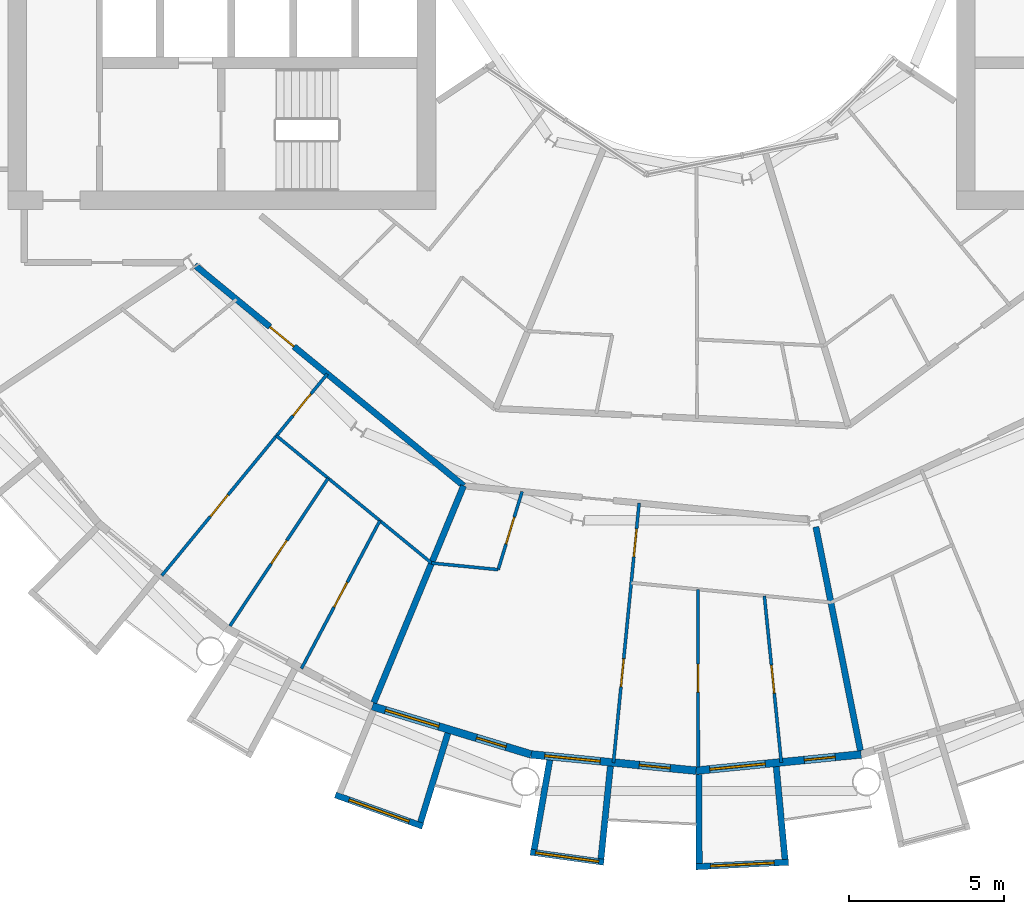
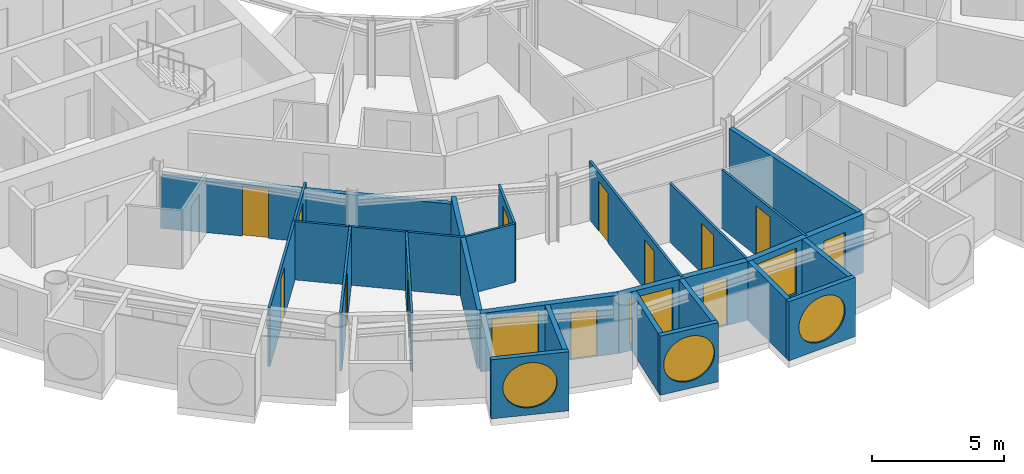
# One storey, part 14 of 27: 23 walls, 13 doors, 6 windows, 19 openings.
"""IFC4 building model written with IfcOpenShell, lengths in metres."""

from ifc_helpers import new_model, si_unit, direction, frame, frame_2d, origin, place, context, subcontext, project, spatial, rectangle, circle, extrude, material, layer, layer_set, type_object, element, fill, save


model = new_model("IFC4")

# Units and contexts
model_context = context("Model", 3, precision=1e-05, world=origin(), true_north=direction((0.0, 1.0)))
body_context = subcontext(model_context, "Body", "Model", "MODEL_VIEW")
ifc_project = project(units=[si_unit("LENGTHUNIT", "METRE"), si_unit("AREAUNIT", "SQUARE_METRE"), si_unit("VOLUMEUNIT", "CUBIC_METRE"), si_unit("PLANEANGLEUNIT", "RADIAN"), si_unit("MASSUNIT", "GRAM", prefix="KILO")], contexts=[model_context])

# Site, building, storey
site_placement = place(None, origin())
site = spatial("IfcSite", under=ifc_project, at=site_placement, CompositionType="ELEMENT")
building_placement = place(site_placement, origin())
building = spatial("IfcBuilding", under=site, at=building_placement, Name="Maasbend Ring Residences", CompositionType="ELEMENT")
storey_placement = place(building_placement, frame((0.0, 0.0, 111.64990234375)))
storey = spatial("IfcBuildingStorey", under=building, at=storey_placement, Name="L31", CompositionType="ELEMENT", Elevation=111.64990234375)

# Wall, opening, door
ifc_material_1 = material(Name="Concrete C30/37", Category="concrete")
ifc_layer_1 = layer(ifc_material_1, 0.199951171875)
ifc_layer_set_1 = layer_set([ifc_layer_1], Name="Concrete C30/37")
wall_type_1 = type_object("IfcWallType", Name="CORRIDOR WALL 200 CONCRETE", PredefinedType="PARTITIONING", material=ifc_layer_set_1)
wall_1_placement = place(storey_placement, frame((-16.173095703125, -10.990966796875, 0.0), z_axis=(0.0, 0.0, 1.0), x_axis=(0.773013989296, -0.634388975591, 0.0)))
wall_1 = element("IfcWall", 1, at=wall_1_placement, inside=storey, type_object=wall_type_1, Name="U-L31-w013", PredefinedType="PARTITIONING", context=body_context, shape_type="SweptSolid", body=[
    extrude(rectangle(XDim=11.218505859375, YDim=0.199951171875, at=frame_2d((5.609375, 0.0))), origin(), (0.0, 0.0, 1.0), 2.39013671875),
])
opening_1_placement = place(wall_1_placement, frame((3.135009765625, 0.0, 0.0)))
opening_1 = element("IfcOpeningElement", 2, at=opening_1_placement, cuts=wall_1, Name="Opening D-3134", PredefinedType="OPENING", context=body_context, shape_type="SweptSolid", body=[
    extrude(rectangle(XDim=1.0, YDim=2.300048828125, at=frame_2d((0.5, 1.14990234375))), frame((0.0, 0.10986328125, 0.0), z_axis=(0.0, -1.0, 0.0), x_axis=(1.0, 0.0, 0.0)), (0.0, 0.0, 1.0), 0.219970703125),
])
ifc_material_2 = material(Name="Timber, fire-rated, painted", Category="wood")
door_type_1 = type_object("IfcDoorType", Name="FLAT ENTRANCE DOOR 1000 X 2300 FIRE-RATED", OperationType="NOTDEFINED", PredefinedType="DOOR", material=ifc_material_2)
door_1_placement = place(opening_1_placement, origin())
door_1 = element("IfcDoor", 3, at=door_1_placement, inside=storey, type_object=door_type_1, Name="D-3134", OperationType="SINGLE_SWING_LEFT", OverallHeight=2.300048828125, OverallWidth=1.0, PredefinedType="DOOR", context=body_context, shape_type="SweptSolid", body=[
    extrude(rectangle(XDim=1.0, YDim=2.300048828125, at=frame_2d((0.5, 1.14990234375))), frame((0.0, 0.02490234375, 0.0), z_axis=(0.0, -1.0, 0.0), x_axis=(1.0, 0.0, 0.0)), (0.0, 0.0, 1.0), 0.050048828125),
])
fill(opening_1, door_1)

# Wall, opening, window
ifc_material_3 = material(Name="Pale anodised aluminium panel", Category="aluminium")
ifc_layer_2 = layer(ifc_material_3, 0.199951171875)
ifc_layer_set_2 = layer_set([ifc_layer_2], Name="EW-BOX")
wall_type_2 = type_object("IfcWallType", Name="EW-BOX", PredefinedType="SOLIDWALL", material=ifc_layer_set_2)
wall_2_placement = place(storey_placement, frame((-11.637939453125, -28.083984375, -0.02978515625), z_axis=(0.0, 0.0, 1.0), x_axis=(0.941461077774, -0.337121697664, 0.0)))
wall_2 = element("IfcWall", 4, at=wall_2_placement, inside=storey, type_object=wall_type_2, Name="Box front S07", PredefinedType="SOLIDWALL", context=body_context, shape_type="SweptSolid", body=[
    extrude(rectangle(XDim=2.9931640625, YDim=0.199951171875, at=frame_2d((1.49658203125, 0.0))), origin(), (0.0, 0.0, 1.0), 2.72998046875),
])
opening_2_placement = place(wall_2_placement, frame((0.45654296875, 0.0, 0.330078125)))
opening_2 = element("IfcOpeningElement", 5, at=opening_2_placement, cuts=wall_2, Name="Opening W-RD", PredefinedType="OPENING", context=body_context, shape_type="SweptSolid", body=[
    extrude(circle(Radius=1.0400390625, at=frame_2d((1.0400390625, 1.0400390625))), frame((0.0, 0.10986328125, 0.0), z_axis=(0.0, -1.0, 0.0), x_axis=(1.0, 0.0, 0.0)), (0.0, 0.0, 1.0), 0.219970703125),
])
ifc_material_4 = material(Name="Aluminium and clear glass", Category="aluminium")
window_type_1 = type_object("IfcWindowType", Name="W-RD", PartitioningType="SINGLE_PANEL", PredefinedType="WINDOW", material=ifc_material_4)
window_1_placement = place(opening_2_placement, origin())
window_1 = element("IfcWindow", 6, at=window_1_placement, inside=storey, type_object=window_type_1, Name="Round window S07", OverallHeight=2.080078125, OverallWidth=2.080078125, PartitioningType="SINGLE_PANEL", PredefinedType="WINDOW", context=body_context, shape_type="SweptSolid", body=[
    extrude(circle(Radius=1.0400390625, at=frame_2d((1.0400390625, 1.0400390625))), frame((0.0, 0.030029296875, 0.0), z_axis=(0.0, -1.0, 0.0), x_axis=(1.0, 0.0, 0.0)), (0.0, 0.0, 1.0), 0.06005859375),
])
fill(opening_2, window_1)

# Wall
wall_3_placement = place(storey_placement, frame((-8.009033203125, -26.092041015625, -0.02978515625), z_axis=(0.0, 0.0, 1.0), x_axis=(-0.293406695073, -0.955987715029, 0.0)))
element("IfcWall", 7, at=wall_3_placement, inside=storey, type_object=wall_type_2, Name="Box side wall S07 right", PredefinedType="SOLIDWALL", context=body_context, shape_type="SweptSolid", body=[
    extrude(rectangle(XDim=3.00634765625, YDim=0.199951171875, at=frame_2d((1.503173828125, 0.0))), origin(), (0.0, 0.0, 1.0), 2.72998046875),
])

# Wall, opening, window
wall_4_placement = place(storey_placement, frame((-5.344970703125, -29.927001953125, -0.02978515625), z_axis=(0.0, 0.0, 1.0), x_axis=(0.99061207328, -0.136703036805, 0.0)))
wall_4 = element("IfcWall", 8, at=wall_4_placement, inside=storey, type_object=wall_type_2, Name="Box front S09", PredefinedType="SOLIDWALL", context=body_context, shape_type="SweptSolid", body=[
    extrude(rectangle(XDim=2.391357421875, YDim=0.199951171875, at=frame_2d((1.19580078125, 0.0))), origin(), (0.0, 0.0, 1.0), 2.72998046875),
])
opening_3_placement = place(wall_4_placement, frame((0.15576171875, 0.0, 0.330078125)))
opening_3 = element("IfcOpeningElement", 9, at=opening_3_placement, cuts=wall_4, Name="Opening W-RD", PredefinedType="OPENING", context=body_context, shape_type="SweptSolid", body=[
    extrude(circle(Radius=1.0400390625, at=frame_2d((1.0400390625, 1.0400390625))), frame((0.0, 0.10986328125, 0.0), z_axis=(0.0, -1.0, 0.0), x_axis=(1.0, 0.0, 0.0)), (0.0, 0.0, 1.0), 0.219970703125),
])
window_2_placement = place(opening_3_placement, origin())
window_2 = element("IfcWindow", 10, at=window_2_placement, inside=storey, type_object=window_type_1, Name="Round window S09", OverallHeight=2.080078125, OverallWidth=2.080078125, PartitioningType="SINGLE_PANEL", PredefinedType="WINDOW", context=body_context, shape_type="SweptSolid", body=[
    extrude(circle(Radius=1.0400390625, at=frame_2d((1.0400390625, 1.0400390625))), frame((0.0, 0.030029296875, 0.0), z_axis=(0.0, -1.0, 0.0), x_axis=(1.0, 0.0, 0.0)), (0.0, 0.0, 1.0), 0.06005859375),
])
fill(opening_3, window_2)

# Walls
wall_5_placement = place(storey_placement, frame((-4.719970703125, -26.9609375, -0.02978515625), z_axis=(0.0, 0.0, 1.0), x_axis=(-0.172463232037, -0.98501595601, 0.0)))
element("IfcWall", 11, at=wall_5_placement, inside=storey, type_object=wall_type_2, Name="Box side wall S09 left", PredefinedType="SOLIDWALL", context=body_context, shape_type="SweptSolid", body=[
    extrude(rectangle(XDim=2.928955078125, YDim=0.199951171875, at=frame_2d((1.46435546875, 0.0))), origin(), (0.0, 0.0, 1.0), 2.72998046875),
])
wall_6_placement = place(storey_placement, frame((-2.763916015625, -27.153076171875, -0.02978515625), z_axis=(0.0, 0.0, 1.0), x_axis=(-0.101505487237, -0.994834979311, 0.0)))
element("IfcWall", 12, at=wall_6_placement, inside=storey, type_object=wall_type_2, Name="Box side wall S09 right", PredefinedType="SOLIDWALL", context=body_context, shape_type="SweptSolid", body=[
    extrude(rectangle(XDim=3.006591796875, YDim=0.199951171875, at=frame_2d((1.50341796875, 0.0))), origin(), (0.0, 0.0, 1.0), 2.72998046875),
])

# Wall, opening, window
wall_7_placement = place(storey_placement, frame((-0.0048828125, -30.39990234375, -0.02978515625), z_axis=(0.0, 0.0, 1.0), x_axis=(0.998794083011, 0.049095618353, 0.0)))
wall_7 = element("IfcWall", 13, at=wall_7_placement, inside=storey, type_object=wall_type_2, Name="Box front S11", PredefinedType="SOLIDWALL", context=body_context, shape_type="SweptSolid", body=[
    extrude(rectangle(XDim=2.99365234375, YDim=0.199951171875, at=frame_2d((1.496826171875, 0.0))), origin(), (0.0, 0.0, 1.0), 2.72998046875),
])
opening_4_placement = place(wall_7_placement, frame((0.45654296875, 0.0, 0.330078125)))
opening_4 = element("IfcOpeningElement", 14, at=opening_4_placement, cuts=wall_7, Name="Opening W-RD", PredefinedType="OPENING", context=body_context, shape_type="SweptSolid", body=[
    extrude(circle(Radius=1.0400390625, at=frame_2d((1.0400390625, 1.0400390625))), frame((0.0, 0.10986328125, 0.0), z_axis=(0.0, -1.0, 0.0), x_axis=(1.0, 0.0, 0.0)), (0.0, 0.0, 1.0), 0.219970703125),
])
window_3_placement = place(opening_4_placement, origin())
window_3 = element("IfcWindow", 15, at=window_3_placement, inside=storey, type_object=window_type_1, Name="Round window S11", OverallHeight=2.080078125, OverallWidth=2.080078125, PartitioningType="SINGLE_PANEL", PredefinedType="WINDOW", context=body_context, shape_type="SweptSolid", body=[
    extrude(circle(Radius=1.0400390625, at=frame_2d((1.0400390625, 1.0400390625))), frame((0.0, 0.030029296875, 0.0), z_axis=(0.0, -1.0, 0.0), x_axis=(1.0, 0.0, 0.0)), (0.0, 0.0, 1.0), 0.06005859375),
])
fill(opening_4, window_3)

# Walls
wall_8_placement = place(storey_placement, frame((0.090087890625, -27.4169921875, -0.02978515625), z_axis=(0.0, 0.0, 1.0), x_axis=(0.00347308367, -0.999993968827, 0.0)))
element("IfcWall", 16, at=wall_8_placement, inside=storey, type_object=wall_type_2, Name="Box side wall S11 left", PredefinedType="SOLIDWALL", context=body_context, shape_type="SweptSolid", body=[
    extrude(rectangle(XDim=2.882080078125, YDim=0.199951171875, at=frame_2d((1.44091796875, 0.0))), origin(), (0.0, 0.0, 1.0), 2.72998046875),
])
wall_9_placement = place(storey_placement, frame((2.5859375, -27.1708984375, -0.02978515625), z_axis=(0.0, 0.0, 1.0), x_axis=(0.094548432284, -0.995520262954, 0.0)))
element("IfcWall", 17, at=wall_9_placement, inside=storey, type_object=wall_type_2, Name="Box side wall S11 right", PredefinedType="SOLIDWALL", context=body_context, shape_type="SweptSolid", body=[
    extrude(rectangle(XDim=3.005615234375, YDim=0.199951171875, at=frame_2d((1.5029296875, 0.0))), origin(), (0.0, 0.0, 1.0), 2.72998046875),
])

# Wall, openings, door, window
ifc_material_5 = material(Name="Aluminium clad insulated panel", Category="aluminium")
ifc_layer_3 = layer(ifc_material_5, 0.25)
ifc_layer_set_3 = layer_set([ifc_layer_3], Name="EW-GL")
wall_type_3 = type_object("IfcWallType", Name="EW-GL", PredefinedType="SOLIDWALL", material=ifc_layer_set_3)
wall_10_placement = place(storey_placement, frame((-10.447021484375, -25.221923828125, 0.0), z_axis=(0.0, 0.0, 1.0), x_axis=(0.956965678721, -0.290201119486, 0.0)))
wall_10 = element("IfcWall", 18, at=wall_10_placement, inside=storey, type_object=wall_type_3, Name="External wall S04", PredefinedType="SOLIDWALL", context=body_context, shape_type="SweptSolid", body=[
    extrude(rectangle(XDim=5.351318359375, YDim=0.25, at=frame_2d((2.67578125, 0.0))), origin(), (0.0, 0.0, 1.0), 2.7001953125),
])
opening_5_placement = place(wall_10_placement, frame((0.441162109375, 0.0, 0.300048828125)))
opening_5 = element("IfcOpeningElement", 19, at=opening_5_placement, cuts=wall_10, Name="Opening W-BX", PredefinedType="OPENING", context=body_context, shape_type="SweptSolid", body=[
    extrude(rectangle(XDim=1.800048828125, YDim=2.10009765625, at=frame_2d((0.89990234375, 1.050048828125))), frame((0.0, 0.135009765625, 0.0), z_axis=(0.0, -1.0, 0.0), x_axis=(1.0, 0.0, 0.0)), (0.0, 0.0, 1.0), 0.27001953125),
])
opening_6_placement = place(wall_10_placement, frame((3.510498046875, 0.0, 0.0)))
opening_6 = element("IfcOpeningElement", 20, at=opening_6_placement, cuts=wall_10, Name="Opening D-LG", PredefinedType="OPENING", context=body_context, shape_type="SweptSolid", body=[
    extrude(rectangle(XDim=1.0, YDim=2.199951171875, at=frame_2d((0.5, 1.10009765625))), frame((0.0, 0.135009765625, 0.0), z_axis=(0.0, -1.0, 0.0), x_axis=(1.0, 0.0, 0.0)), (0.0, 0.0, 1.0), 0.27001953125),
])
ifc_material_6 = material(Name="Aluminium and clear glass", Category="aluminium")
door_type_2 = type_object("IfcDoorType", Name="D-LG", OperationType="SINGLE_SWING_LEFT", PredefinedType="DOOR", material=ifc_material_6)
door_2_placement = place(opening_6_placement, origin())
door_2 = element("IfcDoor", 21, at=door_2_placement, inside=storey, type_object=door_type_2, Name="Loggia door S08", OperationType="SINGLE_SWING_LEFT", OverallHeight=2.199951171875, OverallWidth=1.0, PredefinedType="DOOR", context=body_context, shape_type="SweptSolid", body=[
    extrude(rectangle(XDim=1.0, YDim=2.199951171875, at=frame_2d((0.5, 1.10009765625))), frame((0.0, 0.02490234375, 0.0), z_axis=(0.0, -1.0, 0.0), x_axis=(1.0, 0.0, 0.0)), (0.0, 0.0, 1.0), 0.050048828125),
])
fill(opening_6, door_2)
ifc_material_7 = material(Name="Aluminium and clear glass", Category="aluminium")
window_type_2 = type_object("IfcWindowType", Name="W-BX", PartitioningType="DOUBLE_PANEL_VERTICAL", PredefinedType="WINDOW", material=ifc_material_7)
window_4_placement = place(opening_5_placement, origin())
window_4 = element("IfcWindow", 22, at=window_4_placement, inside=storey, type_object=window_type_2, Name="Window S07 room to box", OverallHeight=2.10009765625, OverallWidth=1.800048828125, PartitioningType="SINGLE_PANEL", PredefinedType="WINDOW", context=body_context, shape_type="SweptSolid", body=[
    extrude(rectangle(XDim=1.800048828125, YDim=2.10009765625, at=frame_2d((0.89990234375, 1.050048828125))), frame((0.0, 0.030029296875, 0.0), z_axis=(0.0, -1.0, 0.0), x_axis=(1.0, 0.0, 0.0)), (0.0, 0.0, 1.0), 0.06005859375),
])
fill(opening_5, window_4)

wall_11_placement = place(storey_placement, frame((-5.325927734375, -26.77490234375, 0.0), z_axis=(0.0, 0.0, 1.0), x_axis=(0.995173996315, -0.098126026407, 0.0)))
wall_11 = element("IfcWall", 23, at=wall_11_placement, inside=storey, type_object=wall_type_3, Name="External wall S05", PredefinedType="SOLIDWALL", context=body_context, shape_type="SweptSolid", body=[
    extrude(rectangle(XDim=5.351806640625, YDim=0.25, at=frame_2d((2.67578125, 0.0))), origin(), (0.0, 0.0, 1.0), 2.7001953125),
])
opening_7_placement = place(wall_11_placement, frame((0.441162109375, 0.0, 0.300048828125)))
opening_7 = element("IfcOpeningElement", 24, at=opening_7_placement, cuts=wall_11, Name="Opening W-BX", PredefinedType="OPENING", context=body_context, shape_type="SweptSolid", body=[
    extrude(rectangle(XDim=1.800048828125, YDim=2.10009765625, at=frame_2d((0.89990234375, 1.050048828125))), frame((0.0, 0.135009765625, 0.0), z_axis=(0.0, -1.0, 0.0), x_axis=(1.0, 0.0, 0.0)), (0.0, 0.0, 1.0), 0.27001953125),
])
opening_8_placement = place(wall_11_placement, frame((3.510498046875, 0.0, 0.0)))
opening_8 = element("IfcOpeningElement", 25, at=opening_8_placement, cuts=wall_11, Name="Opening D-LG", PredefinedType="OPENING", context=body_context, shape_type="SweptSolid", body=[
    extrude(rectangle(XDim=1.0, YDim=2.199951171875, at=frame_2d((0.5, 1.10009765625))), frame((0.0, 0.135009765625, 0.0), z_axis=(0.0, -1.0, 0.0), x_axis=(1.0, 0.0, 0.0)), (0.0, 0.0, 1.0), 0.27001953125),
])
door_3_placement = place(opening_8_placement, origin())
door_3 = element("IfcDoor", 26, at=door_3_placement, inside=storey, type_object=door_type_2, Name="Loggia door S10", OperationType="SINGLE_SWING_LEFT", OverallHeight=2.199951171875, OverallWidth=1.0, PredefinedType="DOOR", context=body_context, shape_type="SweptSolid", body=[
    extrude(rectangle(XDim=1.0, YDim=2.199951171875, at=frame_2d((0.5, 1.10009765625))), frame((0.0, 0.02490234375, 0.0), z_axis=(0.0, -1.0, 0.0), x_axis=(1.0, 0.0, 0.0)), (0.0, 0.0, 1.0), 0.050048828125),
])
fill(opening_8, door_3)
window_5_placement = place(opening_7_placement, origin())
window_5 = element("IfcWindow", 27, at=window_5_placement, inside=storey, type_object=window_type_2, Name="Window S09 room to box", OverallHeight=2.10009765625, OverallWidth=1.800048828125, PartitioningType="SINGLE_PANEL", PredefinedType="WINDOW", context=body_context, shape_type="SweptSolid", body=[
    extrude(rectangle(XDim=1.800048828125, YDim=2.10009765625, at=frame_2d((0.89990234375, 1.050048828125))), frame((0.0, 0.030029296875, 0.0), z_axis=(0.0, -1.0, 0.0), x_axis=(1.0, 0.0, 0.0)), (0.0, 0.0, 1.0), 0.06005859375),
])
fill(opening_7, window_5)

wall_12_placement = place(storey_placement, frame((0.0, -27.300048828125, 0.0), z_axis=(0.0, 0.0, 1.0), x_axis=(0.995173996315, 0.098126026407, 0.0)))
wall_12 = element("IfcWall", 28, at=wall_12_placement, inside=storey, type_object=wall_type_3, Name="External wall S06", PredefinedType="SOLIDWALL", context=body_context, shape_type="SweptSolid", body=[
    extrude(rectangle(XDim=5.351806640625, YDim=0.25, at=frame_2d((2.67578125, 0.0))), origin(), (0.0, 0.0, 1.0), 2.7001953125),
])
opening_9_placement = place(wall_12_placement, frame((0.441162109375, 0.0, 0.300048828125)))
opening_9 = element("IfcOpeningElement", 29, at=opening_9_placement, cuts=wall_12, Name="Opening W-BX", PredefinedType="OPENING", context=body_context, shape_type="SweptSolid", body=[
    extrude(rectangle(XDim=1.800048828125, YDim=2.10009765625, at=frame_2d((0.89990234375, 1.050048828125))), frame((0.0, 0.135009765625, 0.0), z_axis=(0.0, -1.0, 0.0), x_axis=(1.0, 0.0, 0.0)), (0.0, 0.0, 1.0), 0.27001953125),
])
opening_10_placement = place(wall_12_placement, frame((3.510498046875, 0.0, 0.0)))
opening_10 = element("IfcOpeningElement", 30, at=opening_10_placement, cuts=wall_12, Name="Opening D-LG", PredefinedType="OPENING", context=body_context, shape_type="SweptSolid", body=[
    extrude(rectangle(XDim=1.0, YDim=2.199951171875, at=frame_2d((0.5, 1.10009765625))), frame((0.0, 0.135009765625, 0.0), z_axis=(0.0, -1.0, 0.0), x_axis=(1.0, 0.0, 0.0)), (0.0, 0.0, 1.0), 0.27001953125),
])
door_4_placement = place(opening_10_placement, origin())
door_4 = element("IfcDoor", 31, at=door_4_placement, inside=storey, type_object=door_type_2, Name="Loggia door S12", OperationType="SINGLE_SWING_LEFT", OverallHeight=2.199951171875, OverallWidth=1.0, PredefinedType="DOOR", context=body_context, shape_type="SweptSolid", body=[
    extrude(rectangle(XDim=1.0, YDim=2.199951171875, at=frame_2d((0.5, 1.10009765625))), frame((0.0, 0.02490234375, 0.0), z_axis=(0.0, -1.0, 0.0), x_axis=(1.0, 0.0, 0.0)), (0.0, 0.0, 1.0), 0.050048828125),
])
fill(opening_10, door_4)
window_6_placement = place(opening_9_placement, origin())
window_6 = element("IfcWindow", 32, at=window_6_placement, inside=storey, type_object=window_type_2, Name="Window S11 room to box", OverallHeight=2.10009765625, OverallWidth=1.800048828125, PartitioningType="SINGLE_PANEL", PredefinedType="WINDOW", context=body_context, shape_type="SweptSolid", body=[
    extrude(rectangle(XDim=1.800048828125, YDim=2.10009765625, at=frame_2d((0.89990234375, 1.050048828125))), frame((0.0, 0.030029296875, 0.0), z_axis=(0.0, -1.0, 0.0), x_axis=(1.0, 0.0, 0.0)), (0.0, 0.0, 1.0), 0.06005859375),
])
fill(opening_9, window_6)

# Walls
ifc_material_8 = material(Name="Gypsum board on steel studs", Category="steel")
ifc_layer_4 = layer(ifc_material_8, 0.10009765625)
ifc_layer_set_4 = layer_set([ifc_layer_4], Name="PARTITION 100 GYPSUM")
wall_type_4 = type_object("IfcWallType", Name="PARTITION 100 GYPSUM", PredefinedType="PARTITIONING", material=ifc_layer_set_4)
wall_13_placement = place(storey_placement, frame((-13.5380859375, -16.49609375, 0.0), z_axis=(0.0, 0.0, 1.0), x_axis=(0.773000340237, -0.634405606843, 0.0)))
element("IfcWall", 33, at=wall_13_placement, inside=storey, type_object=wall_type_4, Name="U-L31-w008", PredefinedType="PARTITIONING", context=body_context, shape_type="SweptSolid", body=[
    extrude(rectangle(XDim=6.4736328125, YDim=0.10009765625, at=frame_2d((3.23681640625, 0.0))), origin(), (0.0, 0.0, 1.0), 2.7001953125),
])
wall_14_placement = place(storey_placement, frame((-8.541015625, -20.60107421875, 0.0), z_axis=(0.0, 0.0, 1.0), x_axis=(0.995168464509, -0.098182112661, 0.0)))
element("IfcWall", 34, at=wall_14_placement, inside=storey, type_object=wall_type_4, Name="U-L31-w009", PredefinedType="PARTITIONING", context=body_context, shape_type="SweptSolid", body=[
    extrude(rectangle(XDim=2.158447265625, YDim=0.10009765625, at=frame_2d((1.0791015625, 0.0))), origin(), (0.0, 0.0, 1.0), 2.7001953125),
])

# Wall, openings, doors
wall_15_placement = place(storey_placement, frame((-2.666015625, -27.0439453125, 0.0), z_axis=(0.0, 0.0, 1.0), x_axis=(0.098366640075, 0.995150241984, 0.0)))
wall_15 = element("IfcWall", 35, at=wall_15_placement, inside=storey, type_object=wall_type_4, Name="U-L31-w028", PredefinedType="PARTITIONING", context=body_context, shape_type="SweptSolid", body=[
    extrude(rectangle(XDim=8.418701171875, YDim=0.10009765625, at=frame_2d((4.20947265625, 0.0))), origin(), (0.0, 0.0, 1.0), 2.7001953125),
])
opening_11_placement = place(wall_15_placement, frame((6.677001953125, 0.0, 0.0)))
opening_11 = element("IfcOpeningElement", 36, at=opening_11_placement, cuts=wall_15, Name="Opening D-3142", PredefinedType="OPENING", context=body_context, shape_type="SweptSolid", body=[
    extrude(rectangle(XDim=0.89990234375, YDim=2.300048828125, at=frame_2d((0.449951171875, 1.14990234375))), frame((0.0, 0.06005859375, 0.0), z_axis=(0.0, -1.0, 0.0), x_axis=(1.0, 0.0, 0.0)), (0.0, 0.0, 1.0), 0.1201171875),
])
opening_12_placement = place(wall_15_placement, frame((2.466064453125, 0.0, 0.0)))
opening_12 = element("IfcOpeningElement", 37, at=opening_12_placement, cuts=wall_15, Name="Opening D-3143", PredefinedType="OPENING", context=body_context, shape_type="SweptSolid", body=[
    extrude(rectangle(XDim=0.89990234375, YDim=2.300048828125, at=frame_2d((0.449951171875, 1.14990234375))), frame((0.0, 0.06005859375, 0.0), z_axis=(0.0, -1.0, 0.0), x_axis=(1.0, 0.0, 0.0)), (0.0, 0.0, 1.0), 0.1201171875),
])
ifc_material_9 = material(Name="Timber, painted", Category="wood")
door_type_3 = type_object("IfcDoorType", Name="INTERNAL DOOR 900 X 2300", OperationType="NOTDEFINED", PredefinedType="DOOR", material=ifc_material_9)
door_5_placement = place(opening_11_placement, origin())
door_5 = element("IfcDoor", 38, at=door_5_placement, inside=storey, type_object=door_type_3, Name="D-3142", OperationType="SINGLE_SWING_RIGHT", OverallHeight=2.300048828125, OverallWidth=0.89990234375, PredefinedType="DOOR", context=body_context, shape_type="SweptSolid", body=[
    extrude(rectangle(XDim=0.89990234375, YDim=2.300048828125, at=frame_2d((0.449951171875, 1.14990234375))), frame((0.0, 0.02490234375, 0.0), z_axis=(0.0, -1.0, 0.0), x_axis=(1.0, 0.0, 0.0)), (0.0, 0.0, 1.0), 0.050048828125),
])
fill(opening_11, door_5)
door_6_placement = place(opening_12_placement, origin())
door_6 = element("IfcDoor", 39, at=door_6_placement, inside=storey, type_object=door_type_3, Name="D-3143", OperationType="SINGLE_SWING_LEFT", OverallHeight=2.300048828125, OverallWidth=0.89990234375, PredefinedType="DOOR", context=body_context, shape_type="SweptSolid", body=[
    extrude(rectangle(XDim=0.89990234375, YDim=2.300048828125, at=frame_2d((0.449951171875, 1.14990234375))), frame((0.0, 0.02490234375, 0.0), z_axis=(0.0, -1.0, 0.0), x_axis=(1.0, 0.0, 0.0)), (0.0, 0.0, 1.0), 0.050048828125),
])
fill(opening_12, door_6)

wall_16_placement = place(storey_placement, frame((-17.239990234375, -21.007080078125, 0.0), z_axis=(0.0, 0.0, 1.0), x_axis=(0.634396151441, 0.77300810024, 0.0)))
wall_16 = element("IfcWall", 40, at=wall_16_placement, inside=storey, type_object=wall_type_4, Name="U-L31-w032", PredefinedType="PARTITIONING", context=body_context, shape_type="SweptSolid", body=[
    extrude(rectangle(XDim=8.419189453125, YDim=0.10009765625, at=frame_2d((4.20947265625, 0.0))), origin(), (0.0, 0.0, 1.0), 2.7001953125),
])
opening_13_placement = place(wall_16_placement, frame((6.678955078125, 0.0, 0.0)))
opening_13 = element("IfcOpeningElement", 41, at=opening_13_placement, cuts=wall_16, Name="Opening D-3136", PredefinedType="OPENING", context=body_context, shape_type="SweptSolid", body=[
    extrude(rectangle(XDim=0.89990234375, YDim=2.300048828125, at=frame_2d((0.449951171875, 1.14990234375))), frame((0.0, 0.06005859375, 0.0), z_axis=(0.0, -1.0, 0.0), x_axis=(1.0, 0.0, 0.0)), (0.0, 0.0, 1.0), 0.1201171875),
])
opening_14_placement = place(wall_16_placement, frame((2.468017578125, 0.0, 0.0)))
opening_14 = element("IfcOpeningElement", 42, at=opening_14_placement, cuts=wall_16, Name="Opening D-3137", PredefinedType="OPENING", context=body_context, shape_type="SweptSolid", body=[
    extrude(rectangle(XDim=0.89990234375, YDim=2.300048828125, at=frame_2d((0.449951171875, 1.14990234375))), frame((0.0, 0.06005859375, 0.0), z_axis=(0.0, -1.0, 0.0), x_axis=(1.0, 0.0, 0.0)), (0.0, 0.0, 1.0), 0.1201171875),
])
door_7_placement = place(opening_13_placement, origin())
door_7 = element("IfcDoor", 43, at=door_7_placement, inside=storey, type_object=door_type_3, Name="D-3136", OperationType="SINGLE_SWING_RIGHT", OverallHeight=2.300048828125, OverallWidth=0.89990234375, PredefinedType="DOOR", context=body_context, shape_type="SweptSolid", body=[
    extrude(rectangle(XDim=0.89990234375, YDim=2.300048828125, at=frame_2d((0.449951171875, 1.14990234375))), frame((0.0, 0.02490234375, 0.0), z_axis=(0.0, -1.0, 0.0), x_axis=(1.0, 0.0, 0.0)), (0.0, 0.0, 1.0), 0.050048828125),
])
fill(opening_13, door_7)
door_8_placement = place(opening_14_placement, origin())
door_8 = element("IfcDoor", 44, at=door_8_placement, inside=storey, type_object=door_type_3, Name="D-3137", OperationType="SINGLE_SWING_LEFT", OverallHeight=2.300048828125, OverallWidth=0.89990234375, PredefinedType="DOOR", context=body_context, shape_type="SweptSolid", body=[
    extrude(rectangle(XDim=0.89990234375, YDim=2.300048828125, at=frame_2d((0.449951171875, 1.14990234375))), frame((0.0, 0.02490234375, 0.0), z_axis=(0.0, -1.0, 0.0), x_axis=(1.0, 0.0, 0.0)), (0.0, 0.0, 1.0), 0.050048828125),
])
fill(opening_14, door_8)

# Wall, opening, door
wall_17_placement = place(storey_placement, frame((-15.041015625, -22.632080078125, 0.0), z_axis=(0.0, 0.0, 1.0), x_axis=(0.553637025191, 0.83275809473, 0.0)))
wall_17 = element("IfcWall", 45, at=wall_17_placement, inside=storey, type_object=wall_type_4, Name="U-L31-w037", PredefinedType="PARTITIONING", context=body_context, shape_type="SweptSolid", body=[
    extrude(rectangle(XDim=5.7255859375, YDim=0.10009765625, at=frame_2d((2.86279296875, 0.0))), origin(), (0.0, 0.0, 1.0), 2.7001953125),
])
opening_15_placement = place(wall_17_placement, frame((2.412109375, 0.0, 0.0)))
opening_15 = element("IfcOpeningElement", 46, at=opening_15_placement, cuts=wall_17, Name="Opening D-3138", PredefinedType="OPENING", context=body_context, shape_type="SweptSolid", body=[
    extrude(rectangle(XDim=0.89990234375, YDim=2.300048828125, at=frame_2d((0.449951171875, 1.14990234375))), frame((0.0, 0.06005859375, 0.0), z_axis=(0.0, -1.0, 0.0), x_axis=(1.0, 0.0, 0.0)), (0.0, 0.0, 1.0), 0.1201171875),
])
door_9_placement = place(opening_15_placement, origin())
door_9 = element("IfcDoor", 47, at=door_9_placement, inside=storey, type_object=door_type_3, Name="D-3138", OperationType="SINGLE_SWING_LEFT", OverallHeight=2.300048828125, OverallWidth=0.89990234375, PredefinedType="DOOR", context=body_context, shape_type="SweptSolid", body=[
    extrude(rectangle(XDim=0.89990234375, YDim=2.300048828125, at=frame_2d((0.449951171875, 1.14990234375))), frame((0.0, 0.02490234375, 0.0), z_axis=(0.0, -1.0, 0.0), x_axis=(1.0, 0.0, 0.0)), (0.0, 0.0, 1.0), 0.050048828125),
])
fill(opening_15, door_9)

wall_18_placement = place(storey_placement, frame((-12.73388671875, -24.007080078125, 0.0), z_axis=(0.0, 0.0, 1.0), x_axis=(0.468610030042, 0.883405139075, 0.0)))
wall_18 = element("IfcWall", 48, at=wall_18_placement, inside=storey, type_object=wall_type_4, Name="U-L31-w039", PredefinedType="PARTITIONING", context=body_context, shape_type="SweptSolid", body=[
    extrude(rectangle(XDim=5.403076171875, YDim=0.10009765625, at=frame_2d((2.70166015625, 0.0))), origin(), (0.0, 0.0, 1.0), 2.7001953125),
])
opening_16_placement = place(wall_18_placement, frame((2.251953125, 0.0, 0.0)))
opening_16 = element("IfcOpeningElement", 49, at=opening_16_placement, cuts=wall_18, Name="Opening D-3139", PredefinedType="OPENING", context=body_context, shape_type="SweptSolid", body=[
    extrude(rectangle(XDim=0.89990234375, YDim=2.300048828125, at=frame_2d((0.449951171875, 1.14990234375))), frame((0.0, 0.06005859375, 0.0), z_axis=(0.0, -1.0, 0.0), x_axis=(1.0, 0.0, 0.0)), (0.0, 0.0, 1.0), 0.1201171875),
])
door_10_placement = place(opening_16_placement, origin())
door_10 = element("IfcDoor", 50, at=door_10_placement, inside=storey, type_object=door_type_3, Name="D-3139", OperationType="SINGLE_SWING_LEFT", OverallHeight=2.300048828125, OverallWidth=0.89990234375, PredefinedType="DOOR", context=body_context, shape_type="SweptSolid", body=[
    extrude(rectangle(XDim=0.89990234375, YDim=2.300048828125, at=frame_2d((0.449951171875, 1.14990234375))), frame((0.0, 0.02490234375, 0.0), z_axis=(0.0, -1.0, 0.0), x_axis=(1.0, 0.0, 0.0)), (0.0, 0.0, 1.0), 0.050048828125),
])
fill(opening_16, door_10)

wall_19_placement = place(storey_placement, frame((-6.385986328125, -20.81396484375, 0.0), z_axis=(0.0, 0.0, 1.0), x_axis=(0.293239623814, 0.956038975683, 0.0)))
wall_19 = element("IfcWall", 51, at=wall_19_placement, inside=storey, type_object=wall_type_4, Name="U-L31-w050", PredefinedType="PARTITIONING", context=body_context, shape_type="SweptSolid", body=[
    extrude(rectangle(XDim=2.635986328125, YDim=0.10009765625, at=frame_2d((1.31787109375, 0.0))), origin(), (0.0, 0.0, 1.0), 2.7001953125),
])
opening_17_placement = place(wall_19_placement, frame((0.867919921875, 0.0, 0.0)))
opening_17 = element("IfcOpeningElement", 52, at=opening_17_placement, cuts=wall_19, Name="Opening D-3141", PredefinedType="OPENING", context=body_context, shape_type="SweptSolid", body=[
    extrude(rectangle(XDim=0.89990234375, YDim=2.300048828125, at=frame_2d((0.449951171875, 1.14990234375))), frame((0.0, 0.06005859375, 0.0), z_axis=(0.0, -1.0, 0.0), x_axis=(1.0, 0.0, 0.0)), (0.0, 0.0, 1.0), 0.1201171875),
])
door_11_placement = place(opening_17_placement, origin())
door_11 = element("IfcDoor", 53, at=door_11_placement, inside=storey, type_object=door_type_3, Name="D-3141", OperationType="SINGLE_SWING_LEFT", OverallHeight=2.300048828125, OverallWidth=0.89990234375, PredefinedType="DOOR", context=body_context, shape_type="SweptSolid", body=[
    extrude(rectangle(XDim=0.89990234375, YDim=2.300048828125, at=frame_2d((0.449951171875, 1.14990234375))), frame((0.0, 0.02490234375, 0.0), z_axis=(0.0, -1.0, 0.0), x_axis=(1.0, 0.0, 0.0)), (0.0, 0.0, 1.0), 0.050048828125),
])
fill(opening_17, door_11)

wall_20_placement = place(storey_placement, frame((0.071044921875, -27.175048828125, 0.0), z_axis=(0.0, 0.0, 1.0), x_axis=(-0.002643463093, 0.999996506045, 0.0)))
wall_20 = element("IfcWall", 54, at=wall_20_placement, inside=storey, type_object=wall_type_4, Name="U-L31-w059", PredefinedType="PARTITIONING", context=body_context, shape_type="SweptSolid", body=[
    extrude(rectangle(XDim=5.72607421875, YDim=0.10009765625, at=frame_2d((2.863037109375, 0.0))), origin(), (0.0, 0.0, 1.0), 2.7001953125),
])
opening_18_placement = place(wall_20_placement, frame((2.4130859375, 0.0, 0.0)))
opening_18 = element("IfcOpeningElement", 55, at=opening_18_placement, cuts=wall_20, Name="Opening D-3144", PredefinedType="OPENING", context=body_context, shape_type="SweptSolid", body=[
    extrude(rectangle(XDim=0.89990234375, YDim=2.300048828125, at=frame_2d((0.449951171875, 1.14990234375))), frame((0.0, 0.06005859375, 0.0), z_axis=(0.0, -1.0, 0.0), x_axis=(1.0, 0.0, 0.0)), (0.0, 0.0, 1.0), 0.1201171875),
])
door_12_placement = place(opening_18_placement, origin())
door_12 = element("IfcDoor", 56, at=door_12_placement, inside=storey, type_object=door_type_3, Name="D-3144", OperationType="SINGLE_SWING_RIGHT", OverallHeight=2.300048828125, OverallWidth=0.89990234375, PredefinedType="DOOR", context=body_context, shape_type="SweptSolid", body=[
    extrude(rectangle(XDim=0.89990234375, YDim=2.300048828125, at=frame_2d((0.449951171875, 1.14990234375))), frame((0.0, 0.02490234375, 0.0), z_axis=(0.0, -1.0, 0.0), x_axis=(1.0, 0.0, 0.0)), (0.0, 0.0, 1.0), 0.050048828125),
])
fill(opening_18, door_12)

wall_21_placement = place(storey_placement, frame((2.202880859375, -21.659912109375, 0.0), z_axis=(0.0, 0.0, 1.0), x_axis=(0.101248136141, -0.994861203851, 0.0)))
wall_21 = element("IfcWall", 57, at=wall_21_placement, inside=storey, type_object=wall_type_4, Name="U-L31-w062", PredefinedType="PARTITIONING", context=body_context, shape_type="SweptSolid", body=[
    extrude(rectangle(XDim=5.40380859375, YDim=0.10009765625, at=frame_2d((2.701904296875, 0.0))), origin(), (0.0, 0.0, 1.0), 2.7001953125),
])
opening_19_placement = place(wall_21_placement, frame((2.251953125, 0.0, 0.0)))
opening_19 = element("IfcOpeningElement", 58, at=opening_19_placement, cuts=wall_21, Name="Opening D-3145", PredefinedType="OPENING", context=body_context, shape_type="SweptSolid", body=[
    extrude(rectangle(XDim=0.89990234375, YDim=2.300048828125, at=frame_2d((0.449951171875, 1.14990234375))), frame((0.0, 0.06005859375, 0.0), z_axis=(0.0, -1.0, 0.0), x_axis=(1.0, 0.0, 0.0)), (0.0, 0.0, 1.0), 0.1201171875),
])
door_13_placement = place(opening_19_placement, origin())
door_13 = element("IfcDoor", 59, at=door_13_placement, inside=storey, type_object=door_type_3, Name="D-3145", OperationType="SINGLE_SWING_LEFT", OverallHeight=2.300048828125, OverallWidth=0.89990234375, PredefinedType="DOOR", context=body_context, shape_type="SweptSolid", body=[
    extrude(rectangle(XDim=0.89990234375, YDim=2.300048828125, at=frame_2d((0.449951171875, 1.14990234375))), frame((0.0, 0.02490234375, 0.0), z_axis=(0.0, -1.0, 0.0), x_axis=(1.0, 0.0, 0.0)), (0.0, 0.0, 1.0), 0.050048828125),
])
fill(opening_19, door_13)

# Walls
ifc_material_10 = material(Name="Concrete C30/37", Category="concrete")
ifc_layer_5 = layer(ifc_material_10, 0.199951171875)
ifc_layer_set_5 = layer_set([ifc_layer_5], Name="Concrete C30/37")
wall_type_5 = type_object("IfcWallType", Name="PARTY WALL 200 CONCRETE", PredefinedType="PARTITIONING", material=ifc_layer_set_5)
wall_22_placement = place(storey_placement, frame((-10.39892578125, -25.10595703125, 0.0), z_axis=(0.0, 0.0, 1.0), x_axis=(0.382600411313, 0.923913916587, 0.0)))
element("IfcWall", 60, at=wall_22_placement, inside=storey, type_object=wall_type_5, Name="U-L31-w042", PredefinedType="PARTITIONING", context=body_context, shape_type="SweptSolid", body=[
    extrude(rectangle(XDim=7.574462890625, YDim=0.199951171875, at=frame_2d((3.787109375, 0.0))), origin(), (0.0, 0.0, 1.0), 2.7001953125),
])
wall_23_placement = place(storey_placement, frame((3.865966796875, -19.43505859375, 0.0), z_axis=(0.0, 0.0, 1.0), x_axis=(0.194999559373, -0.98080332985, 0.0)))
element("IfcWall", 61, at=wall_23_placement, inside=storey, type_object=wall_type_5, Name="U-L31-w067", PredefinedType="PARTITIONING", context=body_context, shape_type="SweptSolid", body=[
    extrude(rectangle(XDim=7.359375, YDim=0.199951171875, at=frame_2d((3.6796875, 0.0))), origin(), (0.0, 0.0, 1.0), 2.7001953125),
])

save(model, "model.ifc")
